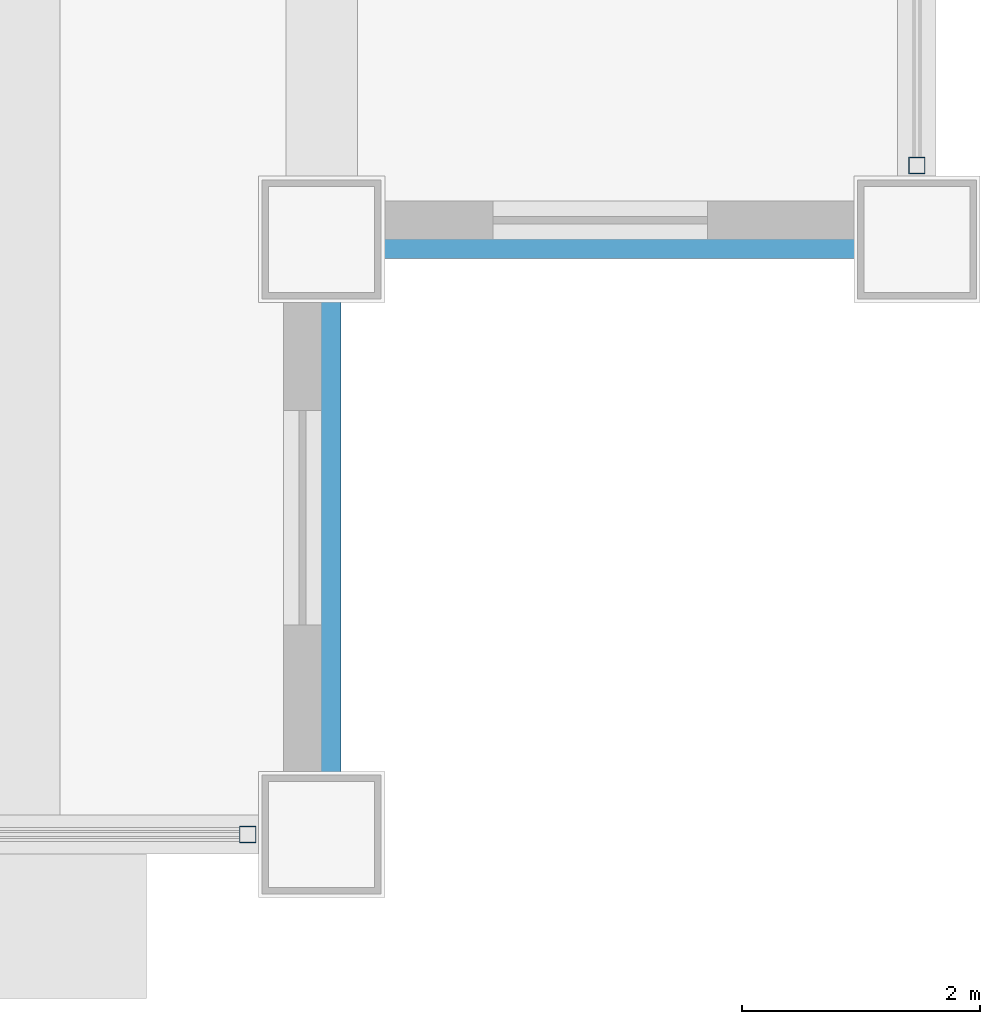
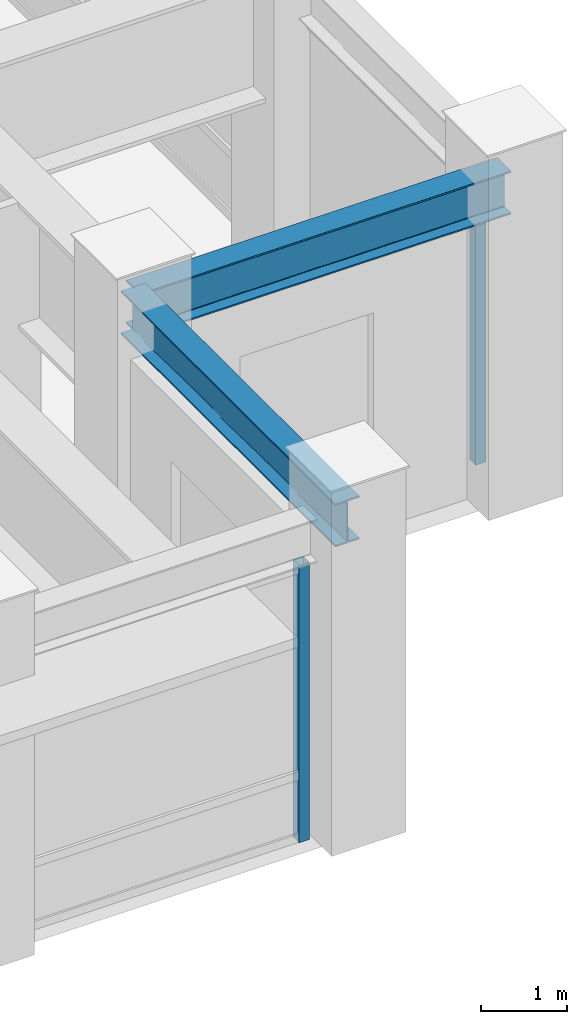
# One storey, part 10 of 33: 2 beams, 2 members, 2 elements without a shape of their own.
"""IFC4 building model written with IfcOpenShell, lengths in metres."""

from ifc_helpers import new_model, si_unit, direction, frame, origin, origin_2d, place, context, subcontext, project, spatial, hollow_rectangle, i_section, extrude, source, transform, mapped, material, material_profile, profile_set, type_object, element, aggregate, save


model = new_model("IFC4")

# Units and contexts
model_context = context("Model", 3, precision=1e-05, world=origin(), true_north=direction((0.0, 1.0)))
body_context = subcontext(model_context, "Body", "Model", "MODEL_VIEW")
ifc_project = project(units=[si_unit("LENGTHUNIT", "METRE"), si_unit("AREAUNIT", "SQUARE_METRE"), si_unit("VOLUMEUNIT", "CUBIC_METRE"), si_unit("PLANEANGLEUNIT", "RADIAN"), si_unit("MASSUNIT", "GRAM", prefix="KILO")], contexts=[model_context])

# Site, building, storey
site_placement = place(None, origin())
site = spatial("IfcSite", under=ifc_project, at=site_placement, CompositionType="ELEMENT")
building_placement = place(site_placement, origin())
building = spatial("IfcBuilding", under=site, at=building_placement, Name="Khorayat Bourse Tower", CompositionType="ELEMENT")
storey_placement = place(building_placement, frame((0.0, 0.0, 263.10009765625)))
storey = spatial("IfcBuildingStorey", under=building, at=storey_placement, Name="L62", CompositionType="ELEMENT", Elevation=263.10009765625)

# Beams
ifc_material_1 = material(Name="Steel ASTM A992 Grade 50", Category="steel")
ifc_material_profile_1 = material_profile(ifc_material_1, i_section(OverallWidth=0.324951171875, OverallDepth=0.615966796875, WebThickness=0.013916015625, FlangeThickness=0.021484375, FilletRadius=0.01611328125, at=origin_2d()), Name="W610X174")
ifc_profile_set_1 = profile_set([ifc_material_profile_1], Name="Steel ASTM A992 Grade 50")
beam_type = type_object("IfcBeamType", Name="BM-SPAN-610", PredefinedType="SPANDREL", material=ifc_profile_set_1)
shared_shape_1 = source(origin(), body_context, "Body", "SweptSolid", [
    extrude(i_section(OverallWidth=0.324951171875, OverallDepth=0.615966796875, WebThickness=0.013916015625, FlangeThickness=0.021484375, FilletRadius=0.01611328125, at=origin_2d()), origin(), (0.0, 0.0, 1.0), 5.0),
])
for number, where, z_axis, x_axis, name in (
    (1, (25.0, -30.0, 4.2919921875), (0.0, 1.0, 0.0), (-1.0, 0.0, 0.0), "L62 BM-SPAN-610 BM-L62-SPN-032"),
    (2, (25.0, -25.0, 4.2919921875), (1.0, 0.0, 0.0), (0.0, 1.0, 0.0), "L62 BM-SPAN-610 BM-L62-SPN-033"),
):
    element("IfcBeam", number, at=place(storey_placement, frame(where, z_axis=z_axis, x_axis=x_axis)), inside=storey, type_object=beam_type, Name=name, PredefinedType="SPANDREL", context=body_context, shape_type="MappedRepresentation", body=[
        mapped(shared_shape_1, transform((0.0, 0.0, 0.0), scale=1.0)),
    ])

# Curtain wall, member
ifc_material_2 = material(Name="Aluminium EN AW-6063 T6", Category="aluminium")
curtain_wall_type = type_object("IfcCurtainWallType", Name="CW-SYS-05", PredefinedType="NOTDEFINED", material=ifc_material_2)
curtain_wall_1_placement = place(storey_placement, origin())
curtain_wall_1 = element("IfcCurtainWall", 3, at=curtain_wall_1_placement, inside=storey, type_object=curtain_wall_type, Name="L62 Curtain Wall CW-L62-S2", PredefinedType="NOTDEFINED")
ifc_material_profile_2 = material_profile(ifc_material_2, hollow_rectangle(XDim=0.139892578125, YDim=0.139892578125, WallThickness=0.006103515625, at=origin_2d()), Name="ALU 140x140x6")
ifc_profile_set_2 = profile_set([ifc_material_profile_2], Name="Aluminium EN AW-6063 T6")
member_type = type_object("IfcMemberType", Name="CWM-VERT-140", PredefinedType="MULLION", material=ifc_profile_set_2)
shared_shape_2 = source(origin(), body_context, "Body", "SweptSolid", [
    extrude(hollow_rectangle(XDim=0.139892578125, YDim=0.139892578125, WallThickness=0.006103515625, at=origin_2d()), origin(), (0.0, 0.0, 1.0), 3.949951171875),
])
member_1_placement = place(storey_placement, frame((24.3798828125, -30.0, 0.0), z_axis=(0.0, 0.0, 1.0), x_axis=(0.0, 1.0, 0.0)))
member_1 = element("IfcMember", 4, at=member_1_placement, type_object=member_type, Name="CW-L62-S2 Vertical Mullion 3", PredefinedType="MULLION", context=body_context, shape_type="MappedRepresentation", body=[
    mapped(shared_shape_2, transform((0.0, 0.0, 0.0), scale=1.0)),
])
aggregate(curtain_wall_1, [member_1])

curtain_wall_2_placement = place(storey_placement, origin())
curtain_wall_2 = element("IfcCurtainWall", 5, at=curtain_wall_2_placement, inside=storey, type_object=curtain_wall_type, Name="L62 Curtain Wall CW-L62-E1", PredefinedType="NOTDEFINED")
member_2_placement = place(storey_placement, frame((30.0, -24.3798828125, 0.0), z_axis=(0.0, 0.0, 1.0), x_axis=(-1.0, 0.0, 0.0)))
member_2 = element("IfcMember", 6, at=member_2_placement, type_object=member_type, Name="CW-L62-E1 Vertical Mullion 1", PredefinedType="MULLION", context=body_context, shape_type="MappedRepresentation", body=[
    mapped(shared_shape_2, transform((0.0, 0.0, 0.0), scale=1.0)),
])
aggregate(curtain_wall_2, [member_2])

save(model, "model.ifc")
